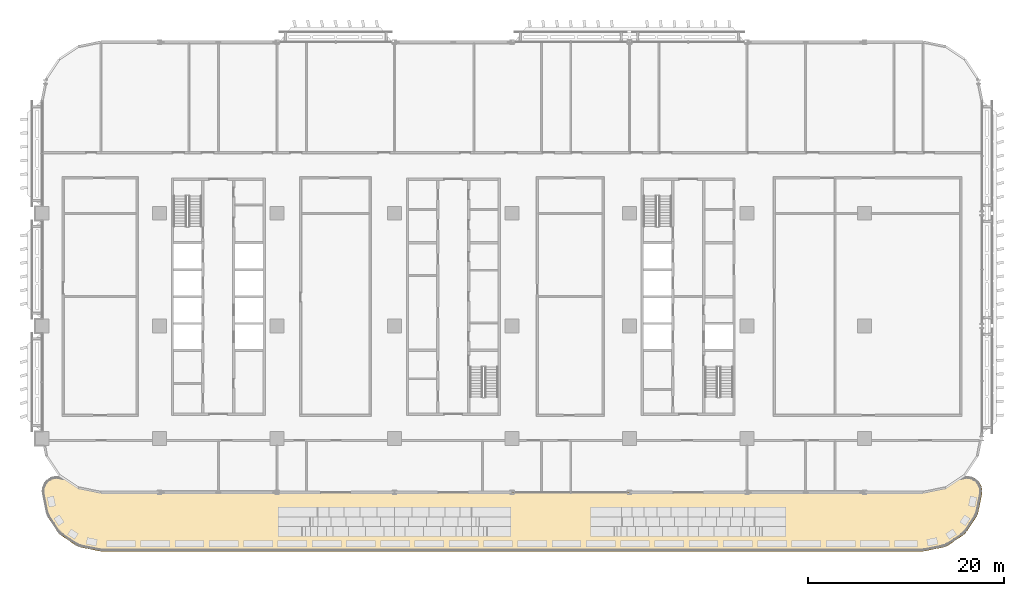
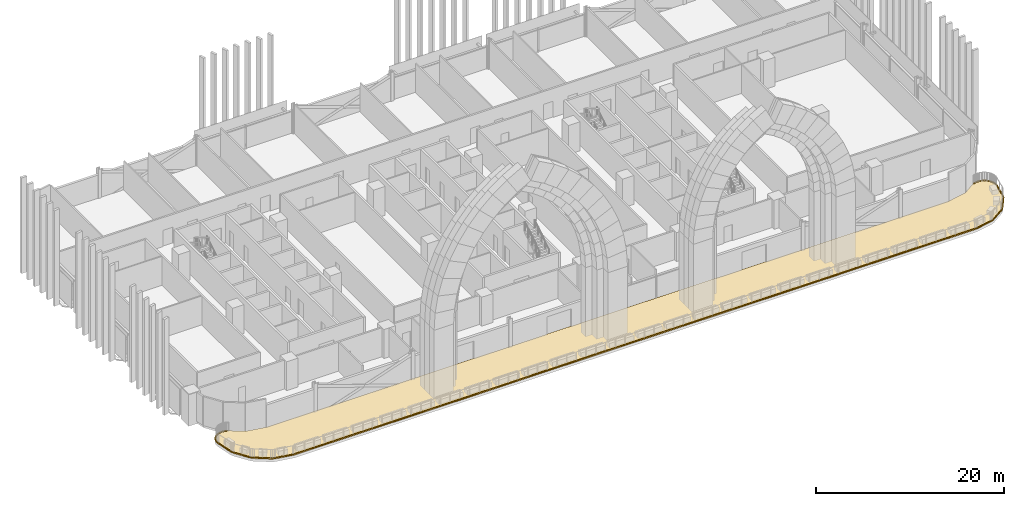
# One storey, part 24 of 31: 2 coverings.
"""IFC4 building model written with IfcOpenShell, lengths in metres."""

import ifcopenshell
import ifcopenshell.guid

model = None  # the IFC model being written
_history = None  # IfcOwnerHistory: only IFC2X3 demands one
_inside = {}  # id of a spatial element -> (the spatial element, [elements in it])
_under = {}  # id of a project, library or spatial element -> (it, [spatial elements below it])
_declared = {}  # id of a project -> (the project, [libraries it declares])
_typed = {}  # id of a type object -> (the type object, [elements of that type])
_made_of = {}  # id of a material, layer set ... -> (it, [elements and type objects made of it])


def new_model(schema):
    """Start an empty IFC model of exactly this schema.

    Asked for "IFC4X3", IfcOpenShell would pick the latest addendum, in which some entities
    have other attributes; the version numbers below select the first issue.
    IFC2X3 requires an IfcOwnerHistory on every rooted entity: one is made here for all.
    """
    global model, _history
    if schema == "IFC4X3":
        model = ifcopenshell.file(schema_version=(4, 3, 0, 0))
    else:
        model = ifcopenshell.file(schema=schema)
    _inside.clear()
    _under.clear()
    _declared.clear()
    _typed.clear()
    _made_of.clear()
    _history = None
    if model.schema == "IFC2X3":
        org = make("IfcOrganization", Name="unknown")
        user = make(
            "IfcPersonAndOrganization",
            ThePerson=make("IfcPerson", FamilyName="unknown"),
            TheOrganization=org,
        )
        app = make(
            "IfcApplication",
            ApplicationDeveloper=org,
            Version="unknown",
            ApplicationFullName="unknown",
            ApplicationIdentifier="unknown",
        )
        _history = make(
            "IfcOwnerHistory",
            OwningUser=user,
            OwningApplication=app,
            ChangeAction="ADDED",
            CreationDate=0,
        )
    return model


def make(cls, **values):
    """One entity of the class cls with the attributes given. An attribute that is None is left unset."""
    return model.create_entity(
        cls, **{name: value for name, value in values.items() if value is not None}
    )


def rooted(cls, **values):
    """An entity with a GlobalId (a new one), such as an element, a storey or a relation."""
    return make(cls, GlobalId=ifcopenshell.guid.new(), OwnerHistory=_history, **values)


def si_unit(unit_type, name, prefix=None):
    """IfcSIUnit, for example si_unit("LENGTHUNIT", "METRE", prefix="MILLI")."""
    return make("IfcSIUnit", UnitType=unit_type, Prefix=prefix, Name=name)


def assignment(units):
    """IfcUnitAssignment: the units of a project."""
    return None if units is None else make("IfcUnitAssignment", Units=units)


def point(xyz):
    """IfcCartesianPoint."""
    return None if xyz is None else make("IfcCartesianPoint", Coordinates=xyz)


def direction(xyz):
    """IfcDirection."""
    return None if xyz is None else make("IfcDirection", DirectionRatios=xyz)


def frame(location, z_axis=None, x_axis=None):
    """IfcAxis2Placement3D, a coordinate frame: its origin and axes. An axis left out is left unset."""
    return make(
        "IfcAxis2Placement3D",
        Location=point(location),
        Axis=direction(z_axis),
        RefDirection=direction(x_axis),
    )


def origin():
    """The frame at (0, 0, 0) with its axes left unset."""
    return frame((0.0, 0.0, 0.0))


def place(relative_to, where):
    """IfcLocalPlacement: puts the frame where relative to a parent placement (None: the world)."""
    return make(
        "IfcLocalPlacement", PlacementRelTo=relative_to, RelativePlacement=where
    )


def context(
    kind, dimensions, precision=None, world=None, true_north=None, identifier=None
):
    """IfcGeometricRepresentationContext, for example the 3D "Model" context."""
    return make(
        "IfcGeometricRepresentationContext",
        ContextIdentifier=identifier,
        ContextType=kind,
        CoordinateSpaceDimension=dimensions,
        Precision=precision,
        WorldCoordinateSystem=world,
        TrueNorth=true_north,
    )


def subcontext(parent, identifier, kind, view, scale=None):
    """IfcGeometricRepresentationSubContext, for example "Body" below "Model"."""
    return make(
        "IfcGeometricRepresentationSubContext",
        ContextIdentifier=identifier,
        ContextType=kind,
        ParentContext=parent,
        TargetScale=scale,
        TargetView=view,
    )


def project(units=None, contexts=None):
    """IfcProject with its units and contexts."""
    return rooted(
        "IfcProject",
        Name="project",
        RepresentationContexts=contexts,
        UnitsInContext=assignment(units),
    )


def spatial(cls, under=None, at=None, **own):
    """A site, building, storey or space (cls), placed at a placement, below another one or the project."""
    s = rooted(cls, ObjectPlacement=at, **own)
    if under is not None:
        _under.setdefault(under.id(), (under, []))[1].append(s)
    return s


def polyline(points):
    """IfcPolyline through the points."""
    return make("IfcPolyline", Points=[point(p) for p in points])


def outline(outer, holes=None, kind="AREA"):
    """IfcArbitraryClosedProfileDef: a profile drawn as a closed curve; with holes, ...WithVoids."""
    if holes is None:
        return make("IfcArbitraryClosedProfileDef", ProfileType=kind, OuterCurve=outer)
    return make(
        "IfcArbitraryProfileDefWithVoids",
        ProfileType=kind,
        OuterCurve=outer,
        InnerCurves=holes,
    )


def extrude(swept, where, along, depth):
    """IfcExtrudedAreaSolid: the profile swept, set in the frame where, extruded along a direction by depth."""
    return make(
        "IfcExtrudedAreaSolid",
        SweptArea=swept,
        Position=where,
        ExtrudedDirection=direction(along),
        Depth=depth,
    )


def shape(context_of_items, identifier, shape_type, items):
    """IfcShapeRepresentation: the items that make up one representation, for example the "Body"."""
    return make(
        "IfcShapeRepresentation",
        ContextOfItems=context_of_items,
        RepresentationIdentifier=identifier,
        RepresentationType=shape_type,
        Items=items,
    )


def material(Name=None, Category=None):
    """IfcMaterial."""
    return make("IfcMaterial", Name=Name, Category=Category)


def layer(
    of_material, thickness, ventilated=None, Name=None, Category=None, Priority=None
):
    """IfcMaterialLayer: one layer of a wall or slab, of a material (None: an air gap)."""
    return make(
        "IfcMaterialLayer",
        Material=of_material,
        LayerThickness=thickness,
        IsVentilated=ventilated,
        Name=Name,
        Category=Category,
        Priority=Priority,
    )


def layer_set(layers, Name=None):
    """IfcMaterialLayerSet."""
    return make("IfcMaterialLayerSet", MaterialLayers=layers, LayerSetName=Name)


def made_of(thing, what):
    """Note that an element or type object is made of a material, layer set ...; save() writes the relation."""
    if what is not None:
        _made_of.setdefault(what.id(), (what, []))[1].append(thing)
    return thing


def type_object(cls, material=None, **own):
    """A type object (cls), such as IfcWallType, which elements share."""
    return made_of(rooted(cls, **own), material)


def element(
    cls,
    number,
    at=None,
    inside=None,
    cuts=None,
    type_object=None,
    material=None,
    context=None,
    identifier="Body",
    shape_type=None,
    held_by="IfcProductDefinitionShape",
    body=None,
    shapes=None,
    **own,
):
    """One element of the class cls, such as IfcWall. Its Tag is "e" and its number.

    at: its placement. inside: the storey or other place that contains it. cuts: it is an
    opening in that element (IfcRelVoidsElement). A single representation is given by context,
    identifier, shape_type and body (its items); several are given by shapes. held_by: the class
    of the entity that holds the representations. save() writes the other relations.
    """
    e = rooted(cls, Tag="e%d" % number, ObjectPlacement=at, **own)
    if body is not None:
        shapes = [shape(context, identifier, shape_type, body)]
    if shapes is not None:
        e.Representation = make(held_by, Representations=shapes)
    if inside is not None:
        _inside.setdefault(inside.id(), (inside, []))[1].append(e)
    if cuts is not None:
        rooted(
            "IfcRelVoidsElement", RelatingBuildingElement=cuts, RelatedOpeningElement=e
        )
    if type_object is not None:
        _typed.setdefault(type_object.id(), (type_object, []))[1].append(e)
    return made_of(e, material)


def aggregate(whole, parts):
    """IfcRelAggregates: a whole, such as a stair, and the parts it consists of."""
    return rooted("IfcRelAggregates", RelatingObject=whole, RelatedObjects=parts)


def save(model, path):
    """Write the relations noted so far, then the file.

    IfcRelAggregates (storeys below a building ...), IfcRelContainedInSpatialStructure (elements
    in a storey), IfcRelDefinesByType, IfcRelAssociatesMaterial and IfcRelDeclares: one each for
    every whole, place, type object, material and project.
    """
    for whole, parts in _under.values():
        aggregate(whole, parts)
    for where, things in _inside.values():
        rooted(
            "IfcRelContainedInSpatialStructure",
            RelatedElements=things,
            RelatingStructure=where,
        )
    for kind, things in _typed.values():
        rooted("IfcRelDefinesByType", RelatedObjects=things, RelatingType=kind)
    for what, things in _made_of.values():
        rooted("IfcRelAssociatesMaterial", RelatedObjects=things, RelatingMaterial=what)
    for by, libraries in _declared.values():
        rooted("IfcRelDeclares", RelatingContext=by, RelatedDefinitions=libraries)
    model.write(path)


model = new_model("IFC4")

# Units and contexts
model_context = context("Model", 3, precision=1e-05, world=origin(), true_north=direction((0.0, 1.0)))
body_context = subcontext(model_context, "Body", "Model", "MODEL_VIEW")
ifc_project = project(units=[si_unit("LENGTHUNIT", "METRE"), si_unit("AREAUNIT", "SQUARE_METRE"), si_unit("VOLUMEUNIT", "CUBIC_METRE"), si_unit("PLANEANGLEUNIT", "RADIAN"), si_unit("MASSUNIT", "GRAM", prefix="KILO")], contexts=[model_context])

# Site, building, storey
site_placement = place(None, origin())
site = spatial("IfcSite", under=ifc_project, at=site_placement, CompositionType="ELEMENT")
building_placement = place(site_placement, origin())
building = spatial("IfcBuilding", under=site, at=building_placement, Name="Mahtab Terrace Research Tower", CompositionType="ELEMENT")
storey_placement = place(building_placement, frame((0.0, 0.0, 84.800048828125)))
storey = spatial("IfcBuildingStorey", under=building, at=storey_placement, Name="L19", CompositionType="ELEMENT", Elevation=84.800048828125)

# Coverings
ifc_material_1 = material(Name="Precast concrete C40/50", Category="concrete")
ifc_layer_1 = layer(ifc_material_1, 0.199951171875)
ifc_layer_set_1 = layer_set([ifc_layer_1], Name="Precast coping 400")
covering_type_1 = type_object("IfcCoveringType", Name="Precast coping 400", PredefinedType="MOLDING", material=ifc_layer_set_1)
covering_1_placement = place(storey_placement, frame((0.0, 0.0, 0.030029296875)))
element("IfcCovering", 1, at=covering_1_placement, inside=storey, type_object=covering_type_1, Name="Terrace edge coping 2.1", PredefinedType="MOLDING", context=body_context, shape_type="SweptSolid", body=[
    extrude(outline(polyline([(-40.087890625, -15.5390625), (-40.221923828125, -15.5048828125), (-40.35791015625, -15.485107421875), (-40.4951171875, -15.47802734375), (-40.632080078125, -15.485107421875), (-40.76708984375, -15.5048828125), (-40.90087890625, -15.5390625), (-41.031005859375, -15.5849609375), (-41.155029296875, -15.64306640625), (-41.27197265625, -15.714111328125), (-41.383056640625, -15.797119140625), (-41.485107421875, -15.887939453125), (-41.575927734375, -15.989990234375), (-41.658935546875, -16.10107421875), (-41.72998046875, -16.218017578125), (-41.7880859375, -16.342041015625), (-41.833984375, -16.471923828125), (-41.867919921875, -16.60595703125), (-41.887939453125, -16.740966796875), (-41.89501953125, -16.8779296875), (-41.887939453125, -17.014892578125), (-41.866943359375, -17.154052734375), (-41.5029296875, -18.98095703125), (-41.469970703125, -19.116943359375), (-41.424072265625, -19.2470703125), (-41.364990234375, -19.37109375), (-41.29296875, -19.490966796875), (-40.325927734375, -20.93798828125), (-40.243896484375, -21.050048828125), (-40.15087890625, -21.15087890625), (-40.050048828125, -21.243896484375), (-39.93798828125, -21.325927734375), (-38.490966796875, -22.29296875), (-38.37109375, -22.364990234375), (-38.2470703125, -22.424072265625), (-38.116943359375, -22.469970703125), (-37.98095703125, -22.5029296875), (-36.1279296875, -22.8720703125), (-35.989013671875, -22.89306640625), (-35.85009765625, -22.89990234375), (47.85009765625, -22.89990234375), (47.989013671875, -22.89306640625), (48.1279296875, -22.8720703125), (49.98095703125, -22.5029296875), (50.116943359375, -22.469970703125), (50.2470703125, -22.424072265625), (50.37109375, -22.364990234375), (50.490966796875, -22.29296875), (51.93798828125, -21.325927734375), (52.050048828125, -21.243896484375), (52.15087890625, -21.15087890625), (52.243896484375, -21.050048828125), (52.325927734375, -20.93798828125), (53.29296875, -19.490966796875), (53.364990234375, -19.37109375), (53.424072265625, -19.2470703125), (53.469970703125, -19.116943359375), (53.5029296875, -18.98095703125), (53.866943359375, -17.154052734375), (53.887939453125, -17.014892578125), (53.89501953125, -16.8779296875), (53.887939453125, -16.740966796875), (53.867919921875, -16.60595703125), (53.833984375, -16.471923828125), (53.7880859375, -16.342041015625), (53.72998046875, -16.218017578125), (53.658935546875, -16.10107421875), (53.575927734375, -15.989990234375), (53.485107421875, -15.887939453125), (53.383056640625, -15.797119140625), (53.27197265625, -15.714111328125), (53.155029296875, -15.64306640625), (53.031005859375, -15.5849609375), (52.90087890625, -15.5390625), (52.76708984375, -15.5048828125), (52.632080078125, -15.485107421875), (52.4951171875, -15.47802734375), (52.35791015625, -15.485107421875), (52.221923828125, -15.5048828125), (52.087890625, -15.5390625), (51.9609375, -15.583984375), (51.927978515625, -15.489990234375), (52.056884765625, -15.444091796875), (52.06103515625, -15.44189453125), (52.199951171875, -15.407958984375), (52.2041015625, -15.406982421875), (52.344970703125, -15.385009765625), (52.35107421875, -15.385009765625), (52.492919921875, -15.3779296875), (52.4970703125, -15.3779296875), (52.638916015625, -15.385009765625), (52.64501953125, -15.385009765625), (52.784912109375, -15.406982421875), (52.7890625, -15.407958984375), (52.927978515625, -15.44189453125), (52.931884765625, -15.444091796875), (53.06689453125, -15.490966796875), (53.071044921875, -15.492919921875), (53.199951171875, -15.553955078125), (53.2041015625, -15.555908203125), (53.325927734375, -15.6298828125), (53.330078125, -15.632080078125), (53.444091796875, -15.718017578125), (53.447998046875, -15.719970703125), (53.553955078125, -15.81494140625), (53.55810546875, -15.819091796875), (53.653076171875, -15.925048828125), (53.655029296875, -15.928955078125), (53.740966796875, -16.04296875), (53.742919921875, -16.047119140625), (53.81689453125, -16.1689453125), (53.819091796875, -16.173095703125), (53.8798828125, -16.302001953125), (53.882080078125, -16.305908203125), (53.928955078125, -16.44091796875), (53.930908203125, -16.445068359375), (53.965087890625, -16.583984375), (53.966064453125, -16.587890625), (53.988037109375, -16.72802734375), (53.988037109375, -16.73388671875), (53.9951171875, -16.8759765625), (53.9951171875, -16.8798828125), (53.988037109375, -17.02197265625), (53.988037109375, -17.028076171875), (53.966064453125, -17.169921875), (53.966064453125, -17.172119140625), (53.60107421875, -19.001953125), (53.60107421875, -19.00390625), (53.56689453125, -19.14306640625), (53.56494140625, -19.14794921875), (53.51708984375, -19.282958984375), (53.514892578125, -19.287109375), (53.4541015625, -19.416015625), (53.451904296875, -19.419921875), (53.37890625, -19.54296875), (53.376953125, -19.544921875), (52.408935546875, -20.993896484375), (52.406982421875, -20.99609375), (52.322998046875, -21.111083984375), (52.319091796875, -21.114990234375), (52.22412109375, -21.219970703125), (52.219970703125, -21.22412109375), (52.114990234375, -21.319091796875), (52.111083984375, -21.322998046875), (51.99609375, -21.406982421875), (51.993896484375, -21.408935546875), (50.544921875, -22.376953125), (50.54296875, -22.37890625), (50.419921875, -22.451904296875), (50.416015625, -22.4541015625), (50.287109375, -22.514892578125), (50.282958984375, -22.51708984375), (50.14794921875, -22.56494140625), (50.14306640625, -22.56689453125), (50.00390625, -22.60107421875), (50.001953125, -22.60107421875), (48.14599609375, -22.970947265625), (48.14404296875, -22.970947265625), (48.001953125, -22.992919921875), (47.99609375, -22.992919921875), (47.85302734375, -23.0), (47.85107421875, -23.0), (-35.85107421875, -23.0), (-35.85302734375, -23.0), (-35.99609375, -22.992919921875), (-36.001953125, -22.992919921875), (-36.14404296875, -22.970947265625), (-36.14599609375, -22.970947265625), (-38.001953125, -22.60107421875), (-38.00390625, -22.60107421875), (-38.14306640625, -22.56689453125), (-38.14794921875, -22.56494140625), (-38.282958984375, -22.51708984375), (-38.287109375, -22.514892578125), (-38.416015625, -22.4541015625), (-38.419921875, -22.451904296875), (-38.54296875, -22.37890625), (-38.544921875, -22.376953125), (-39.993896484375, -21.408935546875), (-39.99609375, -21.406982421875), (-40.111083984375, -21.322998046875), (-40.114990234375, -21.319091796875), (-40.219970703125, -21.22412109375), (-40.22412109375, -21.219970703125), (-40.319091796875, -21.114990234375), (-40.322998046875, -21.111083984375), (-40.406982421875, -20.99609375), (-40.408935546875, -20.993896484375), (-41.376953125, -19.544921875), (-41.37890625, -19.54296875), (-41.451904296875, -19.419921875), (-41.4541015625, -19.416015625), (-41.514892578125, -19.287109375), (-41.51708984375, -19.282958984375), (-41.56494140625, -19.14794921875), (-41.56689453125, -19.14306640625), (-41.60107421875, -19.00390625), (-41.60107421875, -19.001953125), (-41.966064453125, -17.172119140625), (-41.966064453125, -17.169921875), (-41.988037109375, -17.028076171875), (-41.988037109375, -17.02197265625), (-41.9951171875, -16.8798828125), (-41.9951171875, -16.8759765625), (-41.988037109375, -16.73388671875), (-41.988037109375, -16.72802734375), (-41.966064453125, -16.587890625), (-41.965087890625, -16.583984375), (-41.930908203125, -16.445068359375), (-41.928955078125, -16.44091796875), (-41.882080078125, -16.305908203125), (-41.8798828125, -16.302001953125), (-41.819091796875, -16.173095703125), (-41.81689453125, -16.1689453125), (-41.742919921875, -16.047119140625), (-41.740966796875, -16.04296875), (-41.655029296875, -15.928955078125), (-41.653076171875, -15.925048828125), (-41.55810546875, -15.819091796875), (-41.553955078125, -15.81494140625), (-41.447998046875, -15.719970703125), (-41.444091796875, -15.718017578125), (-41.330078125, -15.632080078125), (-41.325927734375, -15.6298828125), (-41.2041015625, -15.555908203125), (-41.199951171875, -15.553955078125), (-41.071044921875, -15.492919921875), (-41.06689453125, -15.490966796875), (-40.931884765625, -15.444091796875), (-40.927978515625, -15.44189453125), (-40.7890625, -15.407958984375), (-40.784912109375, -15.406982421875), (-40.64501953125, -15.385009765625), (-40.638916015625, -15.385009765625), (-40.4970703125, -15.3779296875), (-40.492919921875, -15.3779296875), (-40.35107421875, -15.385009765625), (-40.344970703125, -15.385009765625), (-40.2041015625, -15.406982421875), (-40.199951171875, -15.407958984375), (-40.06103515625, -15.44189453125), (-40.056884765625, -15.444091796875), (-39.927978515625, -15.489990234375), (-39.9609375, -15.583984375), (-40.087890625, -15.5390625)])), origin(), (0.0, 0.0, 1.0), 0.079833984375),
])
ifc_material_2 = material(Name="Granite paving", Category="masonry")
ifc_layer_2 = layer(ifc_material_2, 0.030029296875)
ifc_layer_set_2 = layer_set([ifc_layer_2], Name="Terrace roof build-up with granite pavers")
covering_type_2 = type_object("IfcCoveringType", Name="Terrace roof build-up with granite pavers", PredefinedType="ROOFING", material=ifc_layer_set_2)
covering_2_placement = place(storey_placement, origin())
element("IfcCovering", 2, at=covering_2_placement, inside=storey, type_object=covering_type_2, Name="Terrace paving 2", PredefinedType="ROOFING", context=body_context, shape_type="SweptSolid", body=[
    extrude(outline(polyline([(-41.60107421875, -19.0029296875), (-41.56591796875, -19.14599609375), (-41.51611328125, -19.284912109375), (-41.452880859375, -19.41796875), (-41.3779296875, -19.5439453125), (-40.407958984375, -20.9951171875), (-40.321044921875, -21.113037109375), (-40.221923828125, -21.221923828125), (-40.113037109375, -21.321044921875), (-39.9951171875, -21.407958984375), (-38.5439453125, -22.3779296875), (-38.41796875, -22.452880859375), (-38.284912109375, -22.51611328125), (-38.14599609375, -22.56591796875), (-38.0029296875, -22.60107421875), (-36.14501953125, -22.970947265625), (-35.9990234375, -22.992919921875), (-35.85205078125, -23.0), (47.85205078125, -23.0), (47.9990234375, -22.992919921875), (48.14501953125, -22.970947265625), (50.0029296875, -22.60107421875), (50.14599609375, -22.56591796875), (50.284912109375, -22.51611328125), (50.41796875, -22.452880859375), (50.5439453125, -22.3779296875), (51.9951171875, -21.407958984375), (52.113037109375, -21.321044921875), (52.221923828125, -21.221923828125), (52.321044921875, -21.113037109375), (52.407958984375, -20.9951171875), (53.3779296875, -19.5439453125), (53.452880859375, -19.41796875), (53.51611328125, -19.284912109375), (53.56591796875, -19.14599609375), (53.60107421875, -19.0029296875), (53.966064453125, -17.1708984375), (53.988037109375, -17.02490234375), (53.9951171875, -16.8779296875), (53.988037109375, -16.73095703125), (53.966064453125, -16.5859375), (53.929931640625, -16.443115234375), (53.881103515625, -16.303955078125), (53.818115234375, -16.1708984375), (53.741943359375, -16.044921875), (53.654052734375, -15.927001953125), (53.555908203125, -15.81689453125), (53.446044921875, -15.718994140625), (53.327880859375, -15.631103515625), (53.201904296875, -15.554931640625), (53.069091796875, -15.491943359375), (52.929931640625, -15.443115234375), (52.787109375, -15.406982421875), (52.64208984375, -15.385009765625), (52.4951171875, -15.3779296875), (52.347900390625, -15.385009765625), (52.201904296875, -15.406982421875), (52.05908203125, -15.443115234375), (51.9208984375, -15.491943359375), (51.7880859375, -15.554931640625), (51.660888671875, -15.631103515625), (50.326904296875, -16.52294921875), (50.294921875, -16.5419921875), (50.260009765625, -16.550048828125), (48.035888671875, -16.992919921875), (48.0, -16.998046875), (47.962890625, -17.0), (-35.962890625, -17.0), (-36.0, -16.998046875), (-36.035888671875, -16.992919921875), (-38.260009765625, -16.550048828125), (-38.294921875, -16.5419921875), (-38.326904296875, -16.52294921875), (-39.660888671875, -15.631103515625), (-39.7880859375, -15.554931640625), (-39.9208984375, -15.491943359375), (-40.05908203125, -15.443115234375), (-40.201904296875, -15.406982421875), (-40.347900390625, -15.385009765625), (-40.4951171875, -15.3779296875), (-40.64208984375, -15.385009765625), (-40.787109375, -15.406982421875), (-40.929931640625, -15.443115234375), (-41.069091796875, -15.491943359375), (-41.201904296875, -15.554931640625), (-41.327880859375, -15.631103515625), (-41.446044921875, -15.718994140625), (-41.555908203125, -15.81689453125), (-41.654052734375, -15.927001953125), (-41.741943359375, -16.044921875), (-41.818115234375, -16.1708984375), (-41.881103515625, -16.303955078125), (-41.929931640625, -16.443115234375), (-41.966064453125, -16.5859375), (-41.988037109375, -16.73095703125), (-41.9951171875, -16.8779296875), (-41.988037109375, -17.02490234375), (-41.966064453125, -17.1708984375), (-41.60107421875, -19.0029296875)])), origin(), (0.0, 0.0, 1.0), 0.030029296875),
])

save(model, "model.ifc")
